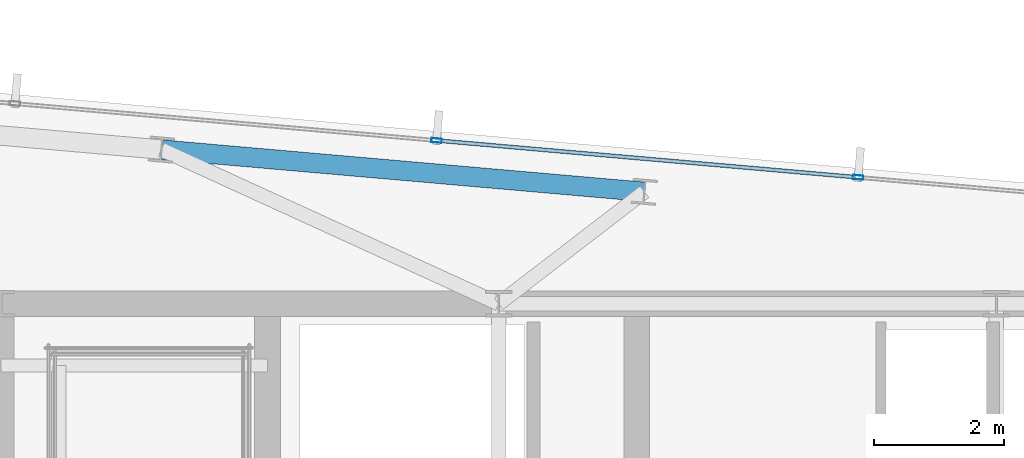
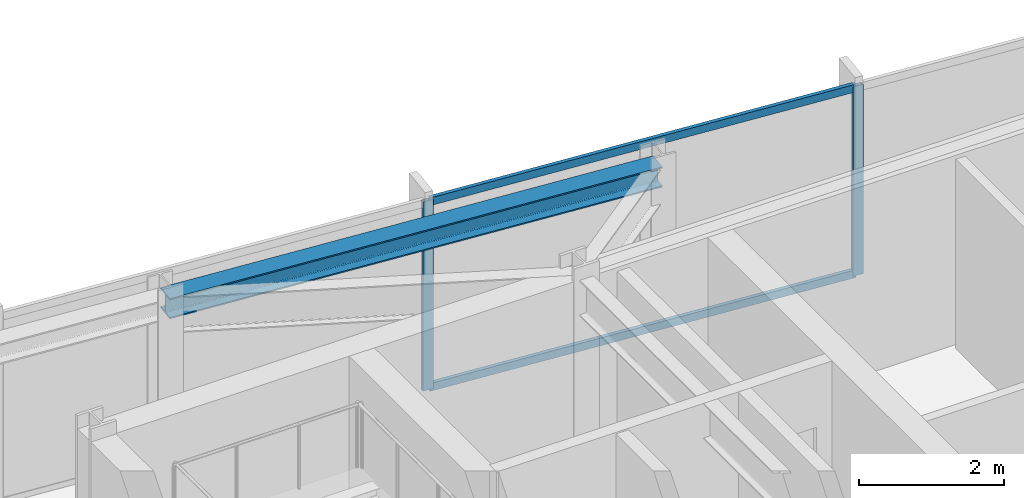
# One storey, part 25 of 32: 4 members, 1 beam, 1 element without a shape of its own.
"""IFC4 building model written with IfcOpenShell, lengths in metres."""

from ifc_helpers import new_model, si_unit, direction, frame, origin, origin_2d, place, context, subcontext, project, spatial, hollow_rectangle, i_section, extrude, material, material_profile, profile_set, type_object, element, aggregate, save


model = new_model("IFC4")

# Units and contexts
model_context = context("Model", 3, precision=1e-05, world=origin(), true_north=direction((0.0, 1.0)))
body_context = subcontext(model_context, "Body", "Model", "MODEL_VIEW")
ifc_project = project(units=[si_unit("LENGTHUNIT", "METRE"), si_unit("AREAUNIT", "SQUARE_METRE"), si_unit("VOLUMEUNIT", "CUBIC_METRE"), si_unit("PLANEANGLEUNIT", "RADIAN"), si_unit("MASSUNIT", "GRAM", prefix="KILO")], contexts=[model_context])

# Site, building, storey
site_placement = place(None, origin())
site = spatial("IfcSite", under=ifc_project, at=site_placement, CompositionType="ELEMENT")
building_placement = place(site_placement, origin())
building = spatial("IfcBuilding", under=site, at=building_placement, Name="Yelkora Congress Tower", CompositionType="ELEMENT")
storey_placement = place(building_placement, frame((0.0, 0.0, 279.5)))
storey = spatial("IfcBuildingStorey", under=building, at=storey_placement, Name="L78", CompositionType="ELEMENT", Elevation=279.5)

# Beam
ifc_material_1 = material(Name="Steel S355J2", Category="steel")
ifc_material_profile_1 = material_profile(ifc_material_1, i_section(OverallWidth=0.300048828125, OverallDepth=0.340087890625, WebThickness=0.011962890625, FlangeThickness=0.021484375, FilletRadius=0.027099609375, at=origin_2d()), Name="HEB 340")
ifc_profile_set_1 = profile_set([ifc_material_profile_1], Name="Steel S355J2")
beam_type = type_object("IfcBeamType", Name="BM-SPAN-HEB340", PredefinedType="SPANDREL", material=ifc_profile_set_1)
beam_placement = place(storey_placement, frame((32.968505859375, 47.927490234375, 3.010009765625), z_axis=(-0.996195771192, 0.087143476284, 0.0), x_axis=(-0.087143476284, -0.996195771192, 0.0)))
element("IfcBeam", 1, at=beam_placement, inside=storey, type_object=beam_type, Name="L78 Perimeter Beam 10", PredefinedType="SPANDREL", context=body_context, shape_type="SweptSolid", body=[
    extrude(i_section(OverallWidth=0.300048828125, OverallDepth=0.340087890625, WebThickness=0.011962890625, FlangeThickness=0.021484375, FilletRadius=0.027099609375, at=origin_2d()), origin(), (0.0, 0.0, 1.0), 7.483154296875),
])

# Curtain wall, members
ifc_material_2 = material(Name="Anodised aluminium and insulated glass", Category="aluminium")
curtain_wall_type = type_object("IfcCurtainWallType", Name="CW-SYS-B5", PredefinedType="NOTDEFINED", material=ifc_material_2)
curtain_wall_placement = place(storey_placement, origin())
curtain_wall = element("IfcCurtainWall", 2, at=curtain_wall_placement, inside=storey, type_object=curtain_wall_type, Name="L78 Unitised Curtain Wall 10", PredefinedType="NOTDEFINED")
ifc_material_3 = material(Name="Anodised aluminium 6063-T6", Category="aluminium")
ifc_material_profile_2 = material_profile(ifc_material_3, hollow_rectangle(XDim=0.06494140625, YDim=0.159912109375, WallThickness=0.00390625, at=origin_2d()), Name="ALU 65x160x4")
ifc_profile_set_2 = profile_set([ifc_material_profile_2], Name="Anodised aluminium 6063-T6")
member_type_1 = type_object("IfcMemberType", Name="MEM-ML-B5", PredefinedType="MULLION", material=ifc_profile_set_2)
member_1_placement = place(storey_placement, frame((29.759765625, 48.719970703125, 0.0), z_axis=(0.0, 0.0, 1.0), x_axis=(0.087156639893, 0.996194619601, 0.0)))
member_1 = element("IfcMember", 3, at=member_1_placement, type_object=member_type_1, Name="CW-B5 mullion 4", PredefinedType="MULLION", context=body_context, shape_type="SweptSolid", body=[
    extrude(hollow_rectangle(XDim=0.06494140625, YDim=0.159912109375, WallThickness=0.00390625, at=origin_2d()), origin(), (0.0, 0.0, 1.0), 3.179931640625),
])
member_2_placement = place(storey_placement, frame((36.266357421875, 48.15087890625, 0.0), z_axis=(0.0, 0.0, 1.0), x_axis=(0.087156639893, 0.996194619601, 0.0)))
member_2 = element("IfcMember", 4, at=member_2_placement, type_object=member_type_1, Name="CW-B5 mullion 5", PredefinedType="MULLION", context=body_context, shape_type="SweptSolid", body=[
    extrude(hollow_rectangle(XDim=0.06494140625, YDim=0.159912109375, WallThickness=0.00390625, at=origin_2d()), origin(), (0.0, 0.0, 1.0), 3.179931640625),
])
ifc_material_profile_3 = material_profile(ifc_material_3, hollow_rectangle(XDim=0.06005859375, YDim=0.1298828125, WallThickness=0.00390625, at=origin_2d()), Name="ALU 60x130x4")
ifc_profile_set_3 = profile_set([ifc_material_profile_3], Name="Anodised aluminium 6063-T6")
member_type_2 = type_object("IfcMemberType", Name="MEM-TR-B5", PredefinedType="USERDEFINED", material=ifc_profile_set_3)
member_3_placement = place(storey_placement, frame((29.7919921875, 48.71728515625, 0.030029296875), z_axis=(0.996192979814, -0.08717538052, 0.0), x_axis=(0.08717538052, 0.996192979814, 0.0)))
member_3 = element("IfcMember", 5, at=member_3_placement, type_object=member_type_2, Name="CW-B5 transom 4.1", ObjectType="TRANSOM", PredefinedType="USERDEFINED", context=body_context, shape_type="SweptSolid", body=[
    extrude(hollow_rectangle(XDim=0.06005859375, YDim=0.1298828125, WallThickness=0.00390625, at=origin_2d()), origin(), (0.0, 0.0, 1.0), 6.466552734375),
])
member_4_placement = place(storey_placement, frame((29.7919921875, 48.71728515625, 3.14990234375), z_axis=(0.996192979814, -0.08717538052, 0.0), x_axis=(0.08717538052, 0.996192979814, 0.0)))
member_4 = element("IfcMember", 6, at=member_4_placement, type_object=member_type_2, Name="CW-B5 transom 4.2", ObjectType="TRANSOM", PredefinedType="USERDEFINED", context=body_context, shape_type="SweptSolid", body=[
    extrude(hollow_rectangle(XDim=0.06005859375, YDim=0.1298828125, WallThickness=0.00390625, at=origin_2d()), origin(), (0.0, 0.0, 1.0), 6.466552734375),
])
aggregate(curtain_wall, [member_1, member_2, member_3, member_4])

save(model, "model.ifc")
